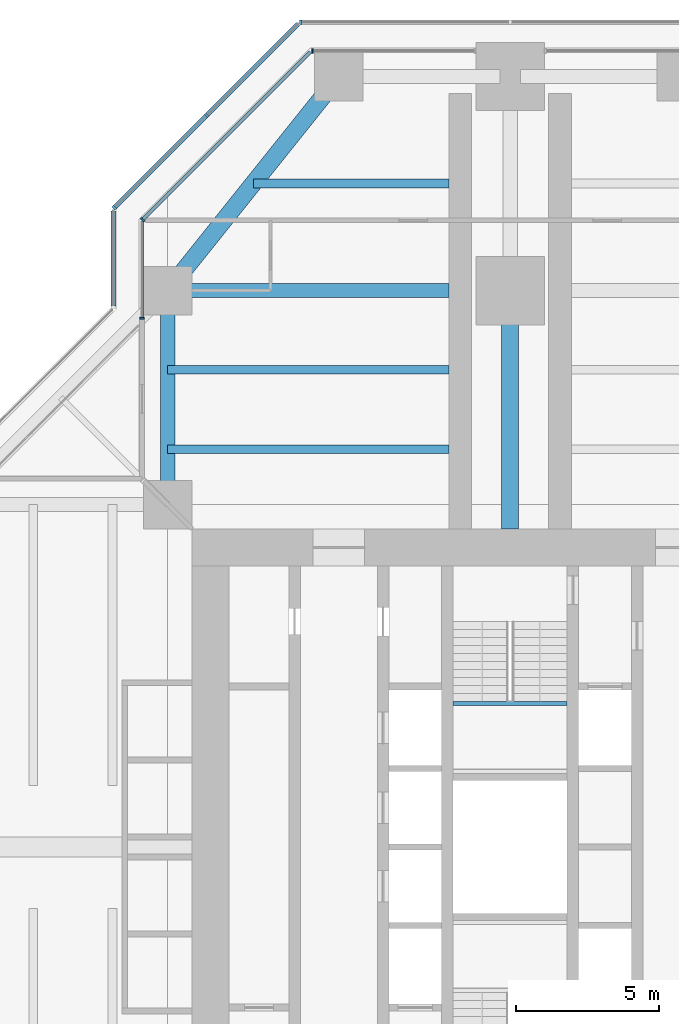
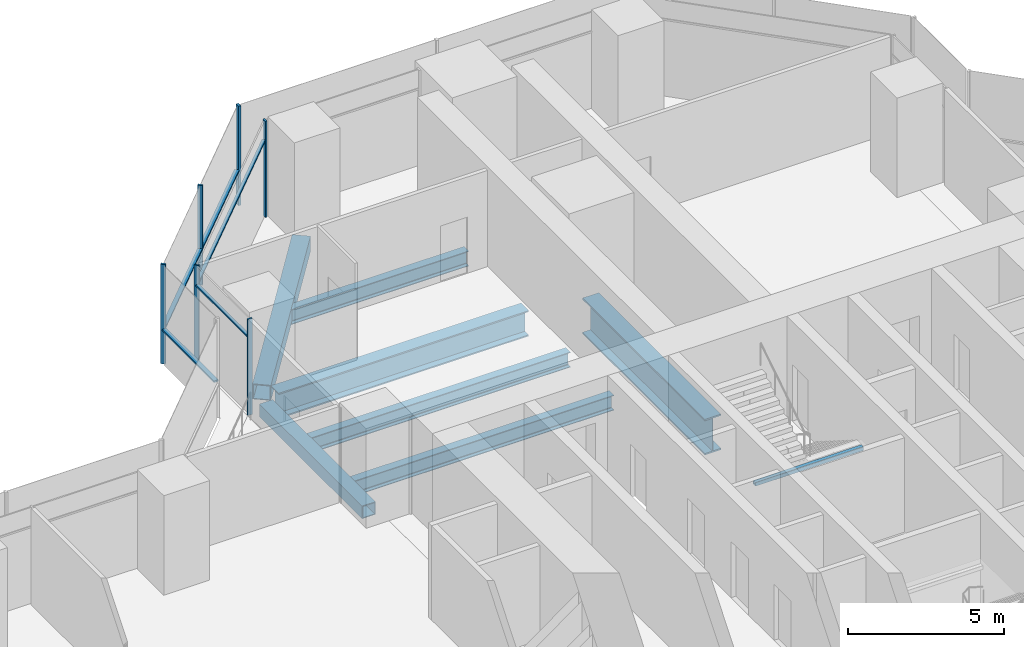
# One storey, part 8 of 20: 11 members, 8 beams, 6 elements without a shape of their own.
"""IFC4 building model written with IfcOpenShell, lengths in metres."""

from ifc_helpers import new_model, si_unit, direction, frame, origin, origin_2d, place, context, subcontext, project, spatial, rectangle, hollow_rectangle, i_section, extrude, material, material_profile, profile_set, type_object, element, aggregate, save


model = new_model("IFC4")

# Units and contexts
model_context = context("Model", 3, precision=1e-05, world=origin(), true_north=direction((0.0, 1.0)))
body_context = subcontext(model_context, "Body", "Model", "MODEL_VIEW")
ifc_project = project(units=[si_unit("LENGTHUNIT", "METRE"), si_unit("AREAUNIT", "SQUARE_METRE"), si_unit("VOLUMEUNIT", "CUBIC_METRE"), si_unit("PLANEANGLEUNIT", "RADIAN"), si_unit("MASSUNIT", "GRAM", prefix="KILO")], contexts=[model_context])

# Site, building, storey
site_placement = place(None, origin())
site = spatial("IfcSite", under=ifc_project, at=site_placement, CompositionType="ELEMENT")
building_placement = place(site_placement, origin())
building = spatial("IfcBuilding", under=site, at=building_placement, Name="Mizan Broadcast Tower", CompositionType="ELEMENT")
storey_placement = place(building_placement, frame((0.0, 0.0, 190.5)))
storey = spatial("IfcBuildingStorey", under=building, at=storey_placement, Name="L44", CompositionType="ELEMENT", Elevation=190.5)

# Beams
ifc_material_1 = material(Name="Steel S355", Category="steel")
ifc_material_profile_1 = material_profile(ifc_material_1, hollow_rectangle(XDim=0.5, YDim=0.5, WallThickness=0.030029296875, at=origin_2d()), Name="BOX 500x500x30")
ifc_profile_set_1 = profile_set([ifc_material_profile_1], Name="Steel S355")
beam_type_1 = type_object("IfcBeamType", Name="EDGE BEAM BOX 500x500x30", PredefinedType="SPANDREL", material=ifc_profile_set_1)
beam_1_placement = place(storey_placement, frame((-12.0, 12.449951171875, -0.3798828125), z_axis=(0.0, 1.0, 0.0), x_axis=(-1.0, 0.0, 0.0)))
element("IfcBeam", 1, at=beam_1_placement, inside=storey, type_object=beam_type_1, Name="Edge beam BOX 500x500x30 L44 north arm", PredefinedType="SPANDREL", context=body_context, shape_type="SweptSolid", body=[
    extrude(hollow_rectangle(XDim=0.5, YDim=0.5, WallThickness=0.030029296875, at=origin_2d()), origin(), (0.0, 0.0, 1.0), 6.60009765625),
])
ifc_material_2 = material(Name="Steel S355", Category="steel")
ifc_material_profile_2 = material_profile(ifc_material_2, hollow_rectangle(XDim=0.60009765625, YDim=0.60009765625, WallThickness=0.030029296875, at=origin_2d()), Name="BOX 600x600x30")
ifc_profile_set_2 = profile_set([ifc_material_profile_2], Name="Steel S355")
beam_type_2 = type_object("IfcBeamType", Name="EDGE BEAM BOX 600x600x30", PredefinedType="SPANDREL", material=ifc_profile_set_2)
beam_2_placement = place(storey_placement, frame((-11.639892578125, 19.949951171875, -0.429931640625), z_axis=(0.624673911726, 0.780885717636, 0.0), x_axis=(-0.780885717636, 0.624673911726, 0.0)))
element("IfcBeam", 2, at=beam_2_placement, inside=storey, type_object=beam_type_2, Name="Edge beam BOX 600x600x30 L44 north arm", PredefinedType="SPANDREL", context=body_context, shape_type="SweptSolid", body=[
    extrude(hollow_rectangle(XDim=0.60009765625, YDim=0.60009765625, WallThickness=0.030029296875, at=origin_2d()), origin(), (0.0, 0.0, 1.0), 8.4521484375),
])
ifc_material_3 = material(Name="Steel S460", Category="steel")
ifc_material_profile_3 = material_profile(ifc_material_3, i_section(OverallWidth=0.5, OverallDepth=1.0, WebThickness=0.02490234375, FlangeThickness=0.050048828125, at=origin_2d()), Name="WPG 1000x500")
ifc_profile_set_3 = profile_set([ifc_material_profile_3], Name="Steel S460")
beam_type_3 = type_object("IfcBeamType", Name="GIRDER WPG 1000x500", PredefinedType="BEAM", material=ifc_profile_set_3)
beam_3_placement = place(storey_placement, frame((-11.408935546875, 19.5, -0.6298828125), z_axis=(1.0, 0.0, 0.0), x_axis=(0.0, 1.0, 0.0)))
element("IfcBeam", 3, at=beam_3_placement, inside=storey, type_object=beam_type_3, Name="Girder WPG 1000x500 L44 north arm", PredefinedType="BEAM", context=body_context, shape_type="SweptSolid", body=[
    extrude(i_section(OverallWidth=0.5, OverallDepth=1.0, WebThickness=0.02490234375, FlangeThickness=0.050048828125, at=origin_2d()), origin(), (0.0, 0.0, 1.0), 9.259033203125),
])
ifc_material_4 = material(Name="Steel S460", Category="steel")
ifc_material_profile_4 = material_profile(ifc_material_4, i_section(OverallWidth=0.60009765625, OverallDepth=1.39990234375, WebThickness=0.02490234375, FlangeThickness=0.06005859375, at=origin_2d()), Name="WPG 1400x600")
ifc_profile_set_4 = profile_set([ifc_material_profile_4], Name="Steel S460")
beam_type_4 = type_object("IfcBeamType", Name="GIRDER WPG 1400x600", PredefinedType="BEAM", material=ifc_profile_set_4)
beam_4_placement = place(storey_placement, frame((0.0, 11.14990234375, -0.830078125), z_axis=(0.0, 1.0, 0.0), x_axis=(-1.0, 0.0, 0.0)))
element("IfcBeam", 4, at=beam_4_placement, inside=storey, type_object=beam_type_4, Name="Girder WPG 1400x600 L44 north arm", PredefinedType="BEAM", context=body_context, shape_type="SweptSolid", body=[
    extrude(i_section(OverallWidth=0.60009765625, OverallDepth=1.39990234375, WebThickness=0.02490234375, FlangeThickness=0.06005859375, at=origin_2d()), origin(), (0.0, 0.0, 1.0), 7.84912109375),
])

# Curtain wall, member
ifc_material_5 = material(Name="Aluminium framed glazing", Category="aluminium")
curtain_wall_type_1 = type_object("IfcCurtainWallType", Name="INNER SKIN MID ZONE", PredefinedType="USERDEFINED", material=ifc_material_5)
curtain_wall_1_placement = place(storey_placement, origin())
curtain_wall_1 = element("IfcCurtainWall", 5, at=curtain_wall_1_placement, inside=storey, type_object=curtain_wall_type_1, Name="Inner skin mid zone L44 N end", ObjectType="INNER SKIN MID ZONE", PredefinedType="USERDEFINED")
ifc_material_6 = material(Name="Aluminium, pale anodised", Category="aluminium")
ifc_material_profile_5 = material_profile(ifc_material_6, rectangle(XDim=0.159912109375, YDim=0.06005859375, at=origin_2d()), Name="MULLION 160x60")
ifc_profile_set_5 = profile_set([ifc_material_profile_5], Name="Aluminium, pale anodised")
member_type_1 = type_object("IfcMemberType", Name="INNER SKIN MULLION 60x160", PredefinedType="MULLION", material=ifc_profile_set_5)
member_1_placement = place(storey_placement, frame((-6.928466796875, 27.89990234375, 0.0), z_axis=(0.0, 0.0, 1.0), x_axis=(0.0, -1.0, 0.0)))
member_1 = element("IfcMember", 6, at=member_1_placement, type_object=member_type_1, Name="Inner skin mid zone L44 N end mullion 2", PredefinedType="MULLION", context=body_context, shape_type="SweptSolid", body=[
    extrude(rectangle(XDim=0.159912109375, YDim=0.06005859375, at=origin_2d()), origin(), (0.0, 0.0, 1.0), 3.77001953125),
])
aggregate(curtain_wall_1, [member_1])

curtain_wall_2_placement = place(storey_placement, origin())
curtain_wall_2 = element("IfcCurtainWall", 7, at=curtain_wall_2_placement, inside=storey, type_object=curtain_wall_type_1, Name="Inner skin mid zone L44 N chamfer", ObjectType="INNER SKIN MID ZONE", PredefinedType="USERDEFINED")
member_2_placement = place(storey_placement, frame((-12.87890625, 21.979736328125, 0.0), z_axis=(0.0, 0.0, 1.0), x_axis=(0.707106781187, -0.707106781187, 0.0)))
member_2 = element("IfcMember", 8, at=member_2_placement, type_object=member_type_1, Name="Inner skin mid zone L44 N chamfer mullion 2", PredefinedType="MULLION", context=body_context, shape_type="SweptSolid", body=[
    extrude(rectangle(XDim=0.159912109375, YDim=0.06005859375, at=origin_2d()), origin(), (0.0, 0.0, 1.0), 3.77001953125),
])

curtain_wall_3_placement = place(storey_placement, origin())
curtain_wall_3 = element("IfcCurtainWall", 9, at=curtain_wall_3_placement, inside=storey, type_object=curtain_wall_type_1, Name="Inner skin mid zone L44 N side", ObjectType="INNER SKIN MID ZONE", PredefinedType="USERDEFINED")
member_3_placement = place(storey_placement, frame((-12.89990234375, 18.530029296875, 0.0), z_axis=(0.0, 0.0, 1.0), x_axis=(1.0, 0.0, 0.0)))
member_3 = element("IfcMember", 10, at=member_3_placement, type_object=member_type_1, Name="Inner skin mid zone L44 N side mullion 2", PredefinedType="MULLION", context=body_context, shape_type="SweptSolid", body=[
    extrude(rectangle(XDim=0.159912109375, YDim=0.06005859375, at=origin_2d()), origin(), (0.0, 0.0, 1.0), 3.77001953125),
])

# Member
ifc_material_7 = material(Name="Aluminium, pale anodised", Category="aluminium")
ifc_material_profile_6 = material_profile(ifc_material_7, rectangle(XDim=0.1201171875, YDim=0.06005859375, at=origin_2d()), Name="TRANSOM 120x60")
ifc_profile_set_6 = profile_set([ifc_material_profile_6], Name="Aluminium, pale anodised")
member_type_2 = type_object("IfcMemberType", Name="INNER SKIN TRANSOM 60x120", PredefinedType="USERDEFINED", material=ifc_profile_set_6)
member_4_placement = place(storey_placement, frame((-7.0009765625, 27.857666015625, 3.030029296875), z_axis=(-0.707106781187, -0.707106781187, 0.0), x_axis=(0.707106781187, -0.707106781187, 0.0)))
member_4 = element("IfcMember", 11, at=member_4_placement, type_object=member_type_2, Name="Inner skin mid zone L44 N chamfer transom 1.1", ObjectType="TRANSOM", PredefinedType="USERDEFINED", context=body_context, shape_type="SweptSolid", body=[
    extrude(rectangle(XDim=0.1201171875, YDim=0.06005859375, at=origin_2d()), origin(), (0.0, 0.0, 1.0), 8.28271484375),
])

aggregate(curtain_wall_2, [member_2, member_4])

member_5_placement = place(storey_placement, frame((-12.89990234375, 21.898681640625, 3.030029296875), z_axis=(0.0, -1.0, 0.0), x_axis=(1.0, 0.0, 0.0)))
member_5 = element("IfcMember", 12, at=member_5_placement, type_object=member_type_2, Name="Inner skin mid zone L44 N side transom 1.1", ObjectType="TRANSOM", PredefinedType="USERDEFINED", context=body_context, shape_type="SweptSolid", body=[
    extrude(rectangle(XDim=0.1201171875, YDim=0.06005859375, at=origin_2d()), origin(), (0.0, 0.0, 1.0), 3.338623046875),
])

aggregate(curtain_wall_3, [member_3, member_5])

# Beam
ifc_material_8 = material(Name="Steel S355", Category="steel")
ifc_material_profile_7 = material_profile(ifc_material_8, hollow_rectangle(XDim=0.14990234375, YDim=0.14990234375, WallThickness=0.008056640625, InnerFilletRadius=0.008056640625, OuterFilletRadius=0.011962890625, at=origin_2d()), Name="SHS 150x150x8")
ifc_profile_set_7 = profile_set([ifc_material_profile_7], Name="Steel S355")
beam_type_5 = type_object("IfcBeamType", Name="LANDING TRIMMER SHS 150x150x8", PredefinedType="BEAM", material=ifc_profile_set_7)
beam_5_placement = place(storey_placement, frame((2.0, 5.02490234375, 1.675048828125), z_axis=(-1.0, 0.0, 0.0), x_axis=(0.0, -1.0, 0.0)))
element("IfcBeam", 13, at=beam_5_placement, inside=storey, type_object=beam_type_5, Name="Stair B landing trimmer L44", PredefinedType="BEAM", context=body_context, shape_type="SweptSolid", body=[
    extrude(hollow_rectangle(XDim=0.14990234375, YDim=0.14990234375, WallThickness=0.008056640625, InnerFilletRadius=0.008056640625, OuterFilletRadius=0.011962890625, at=origin_2d()), origin(), (0.0, 0.0, 1.0), 4.0),
])

# Curtain wall, member
ifc_material_9 = material(Name="Aluminium framed glazing", Category="aluminium")
curtain_wall_type_2 = type_object("IfcCurtainWallType", Name="OUTER SKIN", PredefinedType="USERDEFINED", material=ifc_material_9)
curtain_wall_4_placement = place(storey_placement, origin())
curtain_wall_4 = element("IfcCurtainWall", 14, at=curtain_wall_4_placement, inside=storey, type_object=curtain_wall_type_2, Name="Outer skin L44 N end", ObjectType="OUTER SKIN", PredefinedType="USERDEFINED")
ifc_material_10 = material(Name="Aluminium, pale anodised", Category="aluminium")
ifc_material_profile_8 = material_profile(ifc_material_10, rectangle(XDim=0.159912109375, YDim=0.080078125, at=origin_2d()), Name="MULLION 160x80")
ifc_profile_set_8 = profile_set([ifc_material_profile_8], Name="Aluminium, pale anodised")
member_type_3 = type_object("IfcMemberType", Name="OUTER SKIN MULLION 80x160", PredefinedType="MULLION", material=ifc_profile_set_8)
member_6_placement = place(storey_placement, frame((-7.332763671875, 28.89990234375, 0.0), z_axis=(0.0, 0.0, 1.0), x_axis=(0.0, -1.0, 0.0)))
member_6 = element("IfcMember", 15, at=member_6_placement, type_object=member_type_3, Name="Outer skin L44 N end mullion 3", PredefinedType="MULLION", context=body_context, shape_type="SweptSolid", body=[
    extrude(rectangle(XDim=0.159912109375, YDim=0.080078125, at=origin_2d()), origin(), (0.0, 0.0, 1.0), 3.89990234375),
])
aggregate(curtain_wall_4, [member_6])

# Curtain wall, members
curtain_wall_5_placement = place(storey_placement, origin())
curtain_wall_5 = element("IfcCurtainWall", 16, at=curtain_wall_5_placement, inside=storey, type_object=curtain_wall_type_2, Name="Outer skin L44 N chamfer", ObjectType="OUTER SKIN", PredefinedType="USERDEFINED")
member_7_placement = place(storey_placement, frame((-10.636474609375, 25.636474609375, 0.0), z_axis=(0.0, 0.0, 1.0), x_axis=(0.707106781187, -0.707106781187, 0.0)))
member_7 = element("IfcMember", 17, at=member_7_placement, type_object=member_type_3, Name="Outer skin L44 N chamfer mullion 2", PredefinedType="MULLION", context=body_context, shape_type="SweptSolid", body=[
    extrude(rectangle(XDim=0.159912109375, YDim=0.080078125, at=origin_2d()), origin(), (0.0, 0.0, 1.0), 3.89990234375),
])
member_8_placement = place(storey_placement, frame((-13.871826171875, 22.401123046875, 0.0), z_axis=(0.0, 0.0, 1.0), x_axis=(0.707106781187, -0.707106781187, 0.0)))
member_8 = element("IfcMember", 18, at=member_8_placement, type_object=member_type_3, Name="Outer skin L44 N chamfer mullion 3", PredefinedType="MULLION", context=body_context, shape_type="SweptSolid", body=[
    extrude(rectangle(XDim=0.159912109375, YDim=0.080078125, at=origin_2d()), origin(), (0.0, 0.0, 1.0), 3.89990234375),
])
ifc_material_11 = material(Name="Aluminium, pale anodised", Category="aluminium")
ifc_material_profile_9 = material_profile(ifc_material_11, rectangle(XDim=0.159912109375, YDim=0.06005859375, at=origin_2d()), Name="TRANSOM 160x60")
ifc_profile_set_9 = profile_set([ifc_material_profile_9], Name="Aluminium, pale anodised")
member_type_4 = type_object("IfcMemberType", Name="OUTER SKIN TRANSOM 60x160", PredefinedType="USERDEFINED", material=ifc_profile_set_9)
member_9_placement = place(storey_placement, frame((-7.429443359375, 28.843505859375, 1.39990234375), z_axis=(-0.707106781187, -0.707106781187, 0.0), x_axis=(0.707106781187, -0.707106781187, 0.0)))
member_9 = element("IfcMember", 19, at=member_9_placement, type_object=member_type_4, Name="Outer skin L44 N chamfer transom 1.1", ObjectType="TRANSOM", PredefinedType="USERDEFINED", context=body_context, shape_type="SweptSolid", body=[
    extrude(rectangle(XDim=0.159912109375, YDim=0.06005859375, at=origin_2d()), origin(), (0.0, 0.0, 1.0), 4.495361328125),
])
member_10_placement = place(storey_placement, frame((-10.664794921875, 25.608154296875, 1.39990234375), z_axis=(-0.707106781187, -0.707106781187, 0.0), x_axis=(0.707106781187, -0.707106781187, 0.0)))
member_10 = element("IfcMember", 20, at=member_10_placement, type_object=member_type_4, Name="Outer skin L44 N chamfer transom 2.1", ObjectType="TRANSOM", PredefinedType="USERDEFINED", context=body_context, shape_type="SweptSolid", body=[
    extrude(rectangle(XDim=0.159912109375, YDim=0.06005859375, at=origin_2d()), origin(), (0.0, 0.0, 1.0), 4.495361328125),
])
aggregate(curtain_wall_5, [member_7, member_8, member_9, member_10])

# Curtain wall, member
curtain_wall_6_placement = place(storey_placement, origin())
curtain_wall_6 = element("IfcCurtainWall", 21, at=curtain_wall_6_placement, inside=storey, type_object=curtain_wall_type_2, Name="Outer skin L44 N side", ObjectType="OUTER SKIN", PredefinedType="USERDEFINED")
member_11_placement = place(storey_placement, frame((-13.89990234375, 22.292724609375, 1.39990234375), z_axis=(0.0, -1.0, 0.0), x_axis=(1.0, 0.0, 0.0)))
member_11 = element("IfcMember", 22, at=member_11_placement, type_object=member_type_4, Name="Outer skin L44 N side transom 1.1", ObjectType="TRANSOM", PredefinedType="USERDEFINED", context=body_context, shape_type="SweptSolid", body=[
    extrude(rectangle(XDim=0.159912109375, YDim=0.06005859375, at=origin_2d()), origin(), (0.0, 0.0, 1.0), 3.33984375),
])
aggregate(curtain_wall_6, [member_11])

# Beams
ifc_material_12 = material(Name="Steel S355", Category="steel")
ifc_material_profile_10 = material_profile(ifc_material_12, i_section(OverallWidth=0.300048828125, OverallDepth=0.590087890625, WebThickness=0.012939453125, FlangeThickness=0.02490234375, FilletRadius=0.027099609375, at=origin_2d()), Name="HEA 600")
ifc_profile_set_10 = profile_set([ifc_material_profile_10], Name="Steel S355")
beam_type_6 = type_object("IfcBeamType", Name="SECONDARY BEAM HEA 600", PredefinedType="JOIST", material=ifc_profile_set_10)
for number, where, z_axis, x_axis, name in (
    (23, (-12.0, 13.933349609375, -0.425048828125), (1.0, 0.0, 0.0), (0.0, 1.0, 0.0), "Secondary beam HEA 600 L44 north arm"),
    (24, (-12.0, 16.716552734375, -0.425048828125), (1.0, 0.0, 0.0), (0.0, 1.0, 0.0), "Secondary beam HEA 600 L44 north arm"),
):
    element("IfcBeam", number, at=place(storey_placement, frame(where, z_axis=z_axis, x_axis=x_axis)), inside=storey, type_object=beam_type_6, Name=name, PredefinedType="JOIST", context=body_context, shape_type="SweptSolid", body=[
        extrude(i_section(OverallWidth=0.300048828125, OverallDepth=0.590087890625, WebThickness=0.012939453125, FlangeThickness=0.02490234375, FilletRadius=0.027099609375, at=origin_2d()), origin(), (0.0, 0.0, 1.0), 9.85009765625),
    ])
beam_6_placement = place(storey_placement, frame((-9.0, 23.25, -0.425048828125), z_axis=(1.0, 0.0, 0.0), x_axis=(0.0, 1.0, 0.0)))
element("IfcBeam", 25, at=beam_6_placement, inside=storey, type_object=beam_type_6, Name="Secondary beam HEA 600 L44 north arm", PredefinedType="JOIST", context=body_context, shape_type="SweptSolid", body=[
    extrude(i_section(OverallWidth=0.300048828125, OverallDepth=0.590087890625, WebThickness=0.012939453125, FlangeThickness=0.02490234375, FilletRadius=0.027099609375, at=origin_2d()), origin(), (0.0, 0.0, 1.0), 6.85009765625),
])

save(model, "model.ifc")
